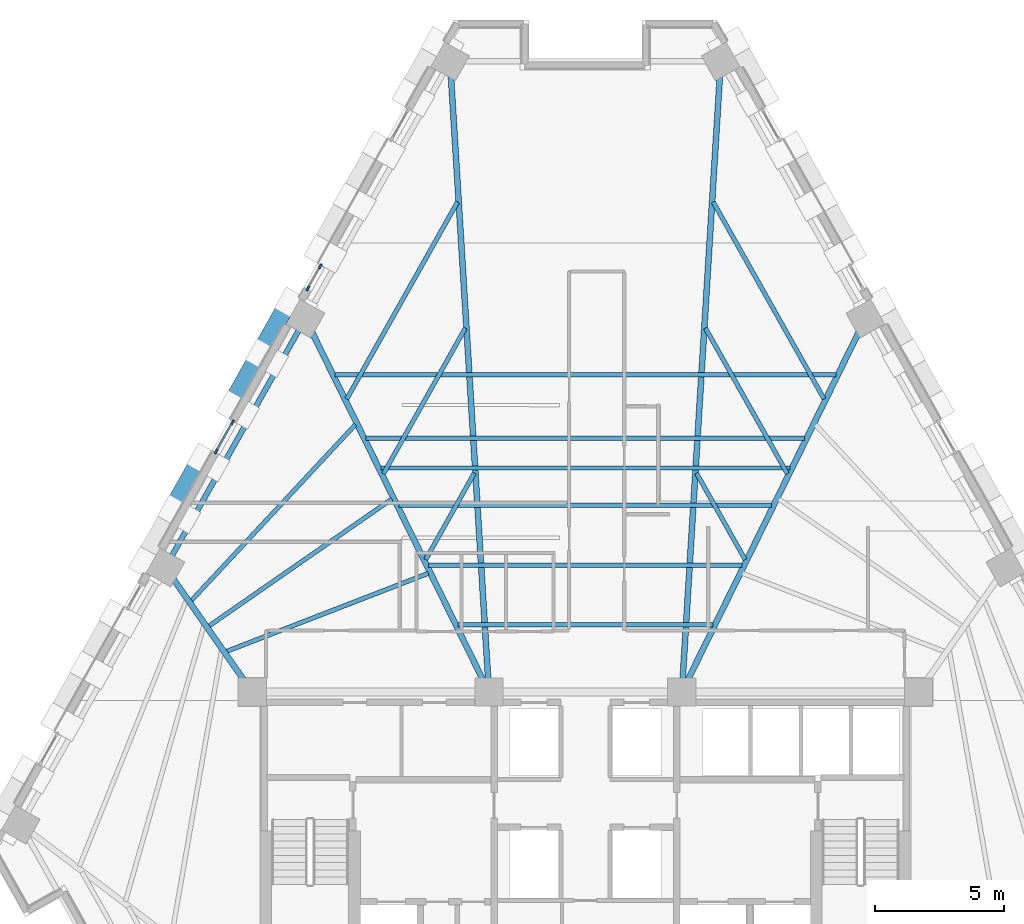
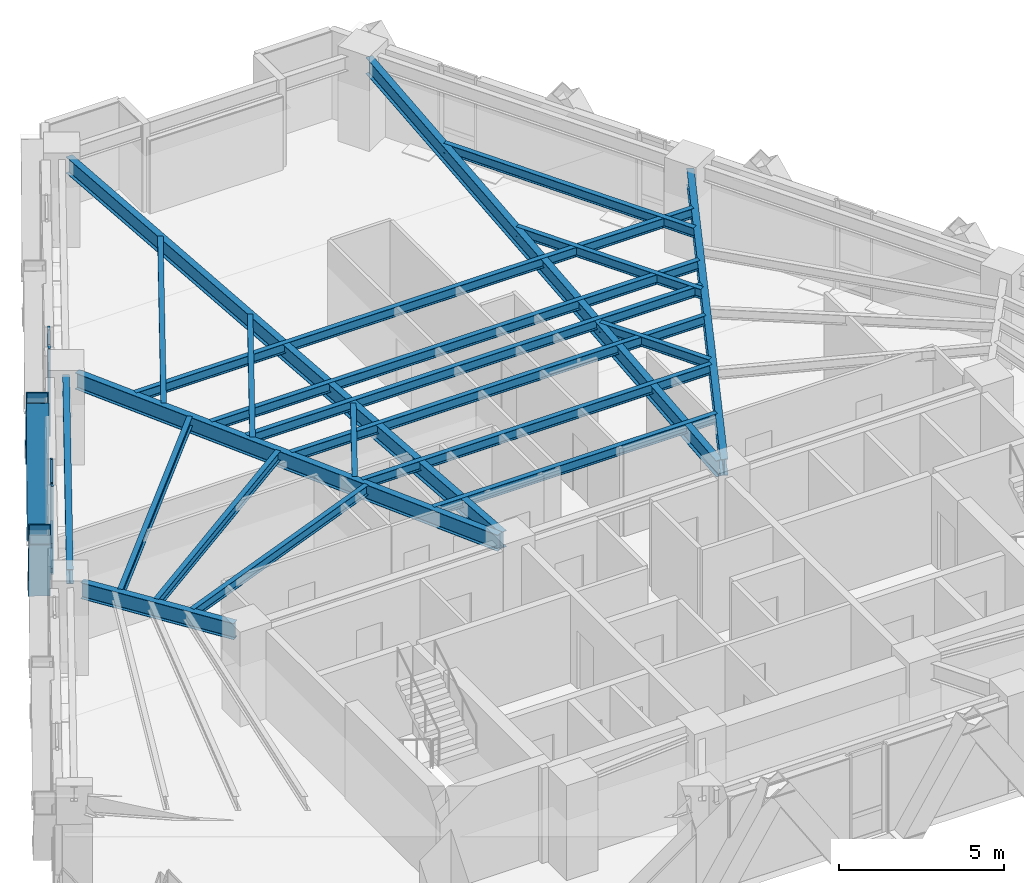
# One storey, part 3 of 13: 21 beams, 10 members, 2 elements without a shape of their own.
"""IFC4 building model written with IfcOpenShell, lengths in metres."""

from ifc_helpers import new_model, si_unit, direction, frame, origin, origin_2d, place, context, subcontext, project, spatial, rectangle, hollow_rectangle, i_section, extrude, material, material_profile, profile_set, type_object, element, aggregate, save


model = new_model("IFC4")

# Units and contexts
model_context = context("Model", 3, precision=1e-05, world=origin(), true_north=direction((0.0, 1.0)))
body_context = subcontext(model_context, "Body", "Model", "MODEL_VIEW")
ifc_project = project(units=[si_unit("LENGTHUNIT", "METRE"), si_unit("AREAUNIT", "SQUARE_METRE"), si_unit("VOLUMEUNIT", "CUBIC_METRE"), si_unit("PLANEANGLEUNIT", "RADIAN"), si_unit("MASSUNIT", "GRAM", prefix="KILO")], contexts=[model_context])

# Site, building, storey
site_placement = place(None, origin())
site = spatial("IfcSite", under=ifc_project, at=site_placement, CompositionType="ELEMENT")
building_placement = place(site_placement, origin())
building = spatial("IfcBuilding", under=site, at=building_placement, Name="Quenlor Broadcast Tower", CompositionType="ELEMENT")
storey_placement = place(building_placement, frame((0.0, 0.0, 105.5)))
storey = spatial("IfcBuildingStorey", under=building, at=storey_placement, Name="L28", CompositionType="ELEMENT", Elevation=105.5)

# Curtain wall, members
ifc_material_1 = material(Name="Architectural Terracotta and Low-E Glazing", Category="masonry")
curtain_wall_type = type_object("IfcCurtainWallType", Name="Unitised Terracotta Curtain Wall System Z2", PredefinedType="NOTDEFINED", material=ifc_material_1)
curtain_wall_1_placement = place(storey_placement, origin())
curtain_wall_1 = element("IfcCurtainWall", 1, at=curtain_wall_1_placement, inside=storey, type_object=curtain_wall_type, Name="L28 Curtain Wall CW2 (L28-NWC-G1)", PredefinedType="NOTDEFINED")
ifc_material_2 = material(Name="Aluminium 6063-T6", Category="aluminium")
ifc_material_profile_1 = material_profile(ifc_material_2, rectangle(XDim=0.074951171875, YDim=0.199951171875, at=origin_2d()))
ifc_profile_set_1 = profile_set([ifc_material_profile_1], Name="Aluminium 6063-T6 MULL75x200")
member_type_1 = type_object("IfcMemberType", Name="CW2 Aluminium Mullion MULL_CW2", PredefinedType="MULLION", material=ifc_profile_set_1)
member_1_placement = place(storey_placement, frame((-10.7880859375, 10.894775390625, 0.0), z_axis=(0.0, 0.0, 1.0), x_axis=(-0.871580587336, 0.490252261371, 0.0)))
member_1 = element("IfcMember", 2, at=member_1_placement, type_object=member_type_1, Name="CW2 mullion 1", PredefinedType="MULLION", context=body_context, shape_type="SweptSolid", body=[
    extrude(rectangle(XDim=0.074951171875, YDim=0.199951171875, at=origin_2d()), origin(), (0.0, 0.0, 1.0), 3.25),
])
member_2_placement = place(storey_placement, frame((-10.306396484375, 11.751220703125, 0.0), z_axis=(0.0, 0.0, 1.0), x_axis=(-0.871580587336, 0.490252261371, 0.0)))
member_2 = element("IfcMember", 3, at=member_2_placement, type_object=member_type_1, Name="CW2 mullion 2", PredefinedType="MULLION", context=body_context, shape_type="SweptSolid", body=[
    extrude(rectangle(XDim=0.074951171875, YDim=0.199951171875, at=origin_2d()), origin(), (0.0, 0.0, 1.0), 3.25),
])
aggregate(curtain_wall_1, [member_1, member_2])

curtain_wall_2_placement = place(storey_placement, origin())
curtain_wall_2 = element("IfcCurtainWall", 4, at=curtain_wall_2_placement, inside=storey, type_object=curtain_wall_type, Name="L28 Curtain Wall CW2 (L28-NW-G1)", PredefinedType="NOTDEFINED")
member_3_placement = place(storey_placement, frame((-14.3515625, 4.559814453125, 0.0), z_axis=(0.0, 0.0, 1.0), x_axis=(-0.871579452423, 0.490254279037, 0.0)))
member_3 = element("IfcMember", 5, at=member_3_placement, type_object=member_type_1, Name="CW2 mullion 1", PredefinedType="MULLION", context=body_context, shape_type="SweptSolid", body=[
    extrude(rectangle(XDim=0.074951171875, YDim=0.199951171875, at=origin_2d()), origin(), (0.0, 0.0, 1.0), 3.25),
])
member_4_placement = place(storey_placement, frame((-13.719482421875, 5.683349609375, 0.0), z_axis=(0.0, 0.0, 1.0), x_axis=(-0.871579452423, 0.490254279037, 0.0)))
member_4 = element("IfcMember", 6, at=member_4_placement, type_object=member_type_1, Name="CW2 mullion 2", PredefinedType="MULLION", context=body_context, shape_type="SweptSolid", body=[
    extrude(rectangle(XDim=0.074951171875, YDim=0.199951171875, at=origin_2d()), origin(), (0.0, 0.0, 1.0), 3.25),
])
ifc_material_3 = material(Name="Aluminium 6063-T6", Category="aluminium")
ifc_material_profile_2 = material_profile(ifc_material_3, rectangle(XDim=0.074951171875, YDim=0.1650390625, at=origin_2d()))
ifc_profile_set_2 = profile_set([ifc_material_profile_2], Name="Aluminium 6063-T6 TRAN75x165")
member_type_2 = type_object("IfcMemberType", Name="CW2 Aluminium Transom TRAN_CW2", PredefinedType="USERDEFINED", material=ifc_profile_set_2)
member_5_placement = place(storey_placement, frame((-14.333251953125, 4.592529296875, 0.03759765625), z_axis=(0.490433072585, 0.871478858788, 0.0), x_axis=(-0.871478858788, 0.490433072585, 0.0)))
member_5 = element("IfcMember", 7, at=member_5_placement, type_object=member_type_2, Name="CW2 transom 1.1", ObjectType="TRANSOM", PredefinedType="USERDEFINED", context=body_context, shape_type="SweptSolid", body=[
    extrude(rectangle(XDim=0.074951171875, YDim=0.1650390625, at=origin_2d()), origin(), (0.0, 0.0, 1.0), 1.214111328125),
])
member_6_placement = place(storey_placement, frame((-14.333251953125, 4.592529296875, 0.949951171875), z_axis=(0.490433072585, 0.871478858788, 0.0), x_axis=(-0.871478858788, 0.490433072585, 0.0)))
member_6 = element("IfcMember", 8, at=member_6_placement, type_object=member_type_2, Name="CW2 transom 1.2", ObjectType="TRANSOM", PredefinedType="USERDEFINED", context=body_context, shape_type="SweptSolid", body=[
    extrude(rectangle(XDim=0.074951171875, YDim=0.1650390625, at=origin_2d()), origin(), (0.0, 0.0, 1.0), 1.214111328125),
])
member_7_placement = place(storey_placement, frame((-14.333251953125, 4.592529296875, 3.21240234375), z_axis=(0.490433072585, 0.871478858788, 0.0), x_axis=(-0.871478858788, 0.490433072585, 0.0)))
member_7 = element("IfcMember", 9, at=member_7_placement, type_object=member_type_2, Name="CW2 transom 1.3", ObjectType="TRANSOM", PredefinedType="USERDEFINED", context=body_context, shape_type="SweptSolid", body=[
    extrude(rectangle(XDim=0.074951171875, YDim=0.1650390625, at=origin_2d()), origin(), (0.0, 0.0, 1.0), 1.214111328125),
])
aggregate(curtain_wall_2, [member_3, member_4, member_5, member_6, member_7])

# Members
ifc_material_4 = material(Name="Steel S355", Category="steel")
ifc_material_profile_3 = material_profile(ifc_material_4, hollow_rectangle(XDim=0.679931640625, YDim=0.679931640625, WallThickness=0.030029296875, at=origin_2d()))
ifc_profile_set_3 = profile_set([ifc_material_profile_3], Name="Steel S355 RHS680x680x30")
member_type_3 = type_object("IfcMemberType", Name="Perimeter Diagonal Lattice Brace Z2 Steel S355 RHS680x30", PredefinedType="BRACE", material=ifc_profile_set_3)
for number, where, z_axis, x_axis, name in (
    (10, (-13.80419921875, 6.338623046875, -0.1201171875), (0.268642373731, 0.477592925498, 0.83650240439), (-0.871578380919, 0.490256183964, 0.0), "L28 Perimeter Diamond Lattice NW-C3S"),
    (11, (-14.955322265625, 4.291748046875, -0.1201171875), (-0.268696511206, -0.477585438485, 0.836489290913), (0.871532878923, -0.490337068716, 0.0), "L28 Perimeter Diamond Lattice NW-C3B"),
):
    element("IfcMember", number, at=place(storey_placement, frame(where, z_axis=z_axis, x_axis=x_axis)), inside=storey, type_object=member_type_3, Name=name, PredefinedType="BRACE", context=body_context, shape_type="SweptSolid", body=[
        extrude(hollow_rectangle(XDim=0.679931640625, YDim=0.679931640625, WallThickness=0.030029296875, at=origin_2d()), origin(), (0.0, 0.0, 1.0), 4.18408203125),
    ])
member_8_placement = place(storey_placement, frame((-11.54248046875, 10.359619140625, -0.1201171875), z_axis=(-0.268634887212, -0.477637964099, 0.83647909276), x_axis=(0.871603971106, -0.490210686901, 0.0)))
element("IfcMember", 12, at=member_8_placement, inside=storey, type_object=member_type_3, Name="L28 Perimeter Diamond Lattice NW-C4B", PredefinedType="BRACE", context=body_context, shape_type="SweptSolid", body=[
    extrude(hollow_rectangle(XDim=0.679931640625, YDim=0.679931640625, WallThickness=0.030029296875, at=origin_2d()), origin(), (0.0, 0.0, 1.0), 4.184326171875),
])

# Beams
ifc_material_5 = material(Name="Steel S355", Category="steel")
ifc_material_profile_4 = material_profile(ifc_material_5, i_section(OverallWidth=0.208984375, OverallDepth=0.5283203125, WebThickness=0.009521484375, FlangeThickness=0.01318359375, FilletRadius=0.013916015625, at=origin_2d()))
ifc_profile_set_4 = profile_set([ifc_material_profile_4], Name="Steel S355 530UB82.0")
beam_type_1 = type_object("IfcBeamType", Name="Perimeter Spandrel Beam Z2 Steel S355 530UB82.0", PredefinedType="SPANDREL", material=ifc_profile_set_4)
beam_1_placement = place(storey_placement, frame((-11.087890625, 9.3623046875, 2.98583984375), z_axis=(-0.49026462139, -0.871573634878, 0.0), x_axis=(0.871573634878, -0.49026462139, 0.0)))
element("IfcBeam", 13, at=beam_1_placement, inside=storey, type_object=beam_type_1, Name="L28 Spandrel Beam NW2-NW3", PredefinedType="SPANDREL", context=body_context, shape_type="SweptSolid", body=[
    extrude(i_section(OverallWidth=0.208984375, OverallDepth=0.5283203125, WebThickness=0.009521484375, FlangeThickness=0.01318359375, FilletRadius=0.013916015625, at=origin_2d()), origin(), (0.0, 0.0, 1.0), 10.28271484375),
])
ifc_material_6 = material(Name="Steel S355", Category="steel")
ifc_material_profile_5 = material_profile(ifc_material_6, i_section(OverallWidth=0.172119140625, OverallDepth=0.358642578125, WebThickness=0.008056640625, FlangeThickness=0.012939453125, FilletRadius=0.011474609375, at=origin_2d()))
ifc_profile_set_5 = profile_set([ifc_material_profile_5], Name="Steel S355 360UB56.7")
beam_type_2 = type_object("IfcBeamType", Name="Tower Composite Joist Z2-Z3 Steel S355 360UB56.7", PredefinedType="JOIST", material=ifc_profile_set_5)
beam_2_placement = place(storey_placement, frame((-4.95458984375, -2.1865234375, 3.07080078125), z_axis=(1.0, 0.0, 0.0), x_axis=(0.0, 1.0, 0.0)))
element("IfcBeam", 14, at=beam_2_placement, inside=storey, type_object=beam_type_2, Name="L28 Secondary Composite Joist 1", PredefinedType="JOIST", context=body_context, shape_type="SweptSolid", body=[
    extrude(i_section(OverallWidth=0.172119140625, OverallDepth=0.358642578125, WebThickness=0.008056640625, FlangeThickness=0.012939453125, FilletRadius=0.011474609375, at=origin_2d()), origin(), (0.0, 0.0, 1.0), 9.9091796875),
])
beam_3_placement = place(storey_placement, frame((-7.9521484375, 3.911865234375, 3.07080078125), z_axis=(1.0, 0.0, 0.0), x_axis=(0.0, 1.0, 0.0)))
element("IfcBeam", 15, at=beam_3_placement, inside=storey, type_object=beam_type_2, Name="L28 Secondary Composite Joist 2", PredefinedType="JOIST", context=body_context, shape_type="SweptSolid", body=[
    extrude(i_section(OverallWidth=0.172119140625, OverallDepth=0.358642578125, WebThickness=0.008056640625, FlangeThickness=0.012939453125, FilletRadius=0.011474609375, at=origin_2d()), origin(), (0.0, 0.0, 1.0), 15.904296875),
])
beam_4_placement = place(storey_placement, frame((-6.096435546875, 0.13671875, 3.07080078125), z_axis=(1.0, 0.0, 0.0), x_axis=(0.0, 1.0, 0.0)))
element("IfcBeam", 16, at=beam_4_placement, inside=storey, type_object=beam_type_2, Name="L28 Secondary Composite Joist 3", PredefinedType="JOIST", context=body_context, shape_type="SweptSolid", body=[
    extrude(i_section(OverallWidth=0.172119140625, OverallDepth=0.358642578125, WebThickness=0.008056640625, FlangeThickness=0.012939453125, FilletRadius=0.011474609375, at=origin_2d()), origin(), (0.0, 0.0, 1.0), 12.19287109375),
])
beam_5_placement = place(storey_placement, frame((-7.238525390625, 2.4599609375, 3.07080078125), z_axis=(1.0, 0.0, 0.0), x_axis=(0.0, 1.0, 0.0)))
element("IfcBeam", 17, at=beam_5_placement, inside=storey, type_object=beam_type_2, Name="L28 Secondary Composite Joist 4", PredefinedType="JOIST", context=body_context, shape_type="SweptSolid", body=[
    extrude(i_section(OverallWidth=0.172119140625, OverallDepth=0.358642578125, WebThickness=0.008056640625, FlangeThickness=0.012939453125, FilletRadius=0.011474609375, at=origin_2d()), origin(), (0.0, 0.0, 1.0), 14.47705078125),
])
beam_6_placement = place(storey_placement, frame((-8.523193359375, 5.073486328125, 3.07080078125), z_axis=(1.0, 0.0, 0.0), x_axis=(0.0, 1.0, 0.0)))
element("IfcBeam", 18, at=beam_6_placement, inside=storey, type_object=beam_type_2, Name="L28 Secondary Composite Joist 5", PredefinedType="JOIST", context=body_context, shape_type="SweptSolid", body=[
    extrude(i_section(OverallWidth=0.172119140625, OverallDepth=0.358642578125, WebThickness=0.008056640625, FlangeThickness=0.012939453125, FilletRadius=0.011474609375, at=origin_2d()), origin(), (0.0, 0.0, 1.0), 17.04638671875),
])
beam_7_placement = place(storey_placement, frame((-9.736328125, 7.541748046875, 3.07080078125), z_axis=(1.0, 0.0, 0.0), x_axis=(0.0, 1.0, 0.0)))
element("IfcBeam", 19, at=beam_7_placement, inside=storey, type_object=beam_type_2, Name="L28 Secondary Composite Joist 6", PredefinedType="JOIST", context=body_context, shape_type="SweptSolid", body=[
    extrude(i_section(OverallWidth=0.172119140625, OverallDepth=0.358642578125, WebThickness=0.008056640625, FlangeThickness=0.012939453125, FilletRadius=0.011474609375, at=origin_2d()), origin(), (0.0, 0.0, 1.0), 19.47265625),
])
beam_8_placement = place(storey_placement, frame((-13.95703125, -3.221435546875, 3.07080078125), z_axis=(0.932542579586, 0.361060018916, 0.0), x_axis=(-0.361060018916, 0.932542579586, 0.0)))
element("IfcBeam", 20, at=beam_8_placement, inside=storey, type_object=beam_type_2, Name="L28 Secondary Composite Joist 7", PredefinedType="JOIST", context=body_context, shape_type="SweptSolid", body=[
    extrude(i_section(OverallWidth=0.172119140625, OverallDepth=0.358642578125, WebThickness=0.008056640625, FlangeThickness=0.012939453125, FilletRadius=0.011474609375, at=origin_2d()), origin(), (0.0, 0.0, 1.0), 8.416259765625),
])
beam_9_placement = place(storey_placement, frame((-14.641845703125, -2.236083984375, 3.07080078125), z_axis=(0.821385737622, 0.570373097219, 0.0), x_axis=(-0.570373097219, 0.821385737622, 0.0)))
element("IfcBeam", 21, at=beam_9_placement, inside=storey, type_object=beam_type_2, Name="L28 Secondary Composite Joist 8", PredefinedType="JOIST", context=body_context, shape_type="SweptSolid", body=[
    extrude(i_section(OverallWidth=0.172119140625, OverallDepth=0.358642578125, WebThickness=0.008056640625, FlangeThickness=0.012939453125, FilletRadius=0.011474609375, at=origin_2d()), origin(), (0.0, 0.0, 1.0), 8.662109375),
])
beam_10_placement = place(storey_placement, frame((-15.3291015625, -1.254638671875, 3.07080078125), z_axis=(0.681880655944, 0.73146344478, 0.0), x_axis=(-0.73146344478, 0.681880655944, 0.0)))
element("IfcBeam", 22, at=beam_10_placement, inside=storey, type_object=beam_type_2, Name="L28 Secondary Composite Joist 9", PredefinedType="JOIST", context=body_context, shape_type="SweptSolid", body=[
    extrude(i_section(OverallWidth=0.172119140625, OverallDepth=0.358642578125, WebThickness=0.008056640625, FlangeThickness=0.012939453125, FilletRadius=0.011474609375, at=origin_2d()), origin(), (0.0, 0.0, 1.0), 9.365234375),
])
beam_11_placement = place(storey_placement, frame((-4.318603515625, 3.7119140625, 3.07080078125), z_axis=(-0.49024921379, -0.871582301552, 0.0), x_axis=(0.871582301552, -0.49024921379, 0.0)))
element("IfcBeam", 23, at=beam_11_placement, inside=storey, type_object=beam_type_2, Name="L28 Secondary Composite Joist 25", PredefinedType="JOIST", context=body_context, shape_type="SweptSolid", body=[
    extrude(i_section(OverallWidth=0.172119140625, OverallDepth=0.358642578125, WebThickness=0.008056640625, FlangeThickness=0.012939453125, FilletRadius=0.011474609375, at=origin_2d()), origin(), (0.0, 0.0, 1.0), 3.85546875),
])
beam_12_placement = place(storey_placement, frame((-4.66650390625, 9.351318359375, 3.07080078125), z_axis=(-0.490232680913, -0.871591600789, 0.0), x_axis=(0.871591600789, -0.490232680913, 0.0)))
element("IfcBeam", 24, at=beam_12_placement, inside=storey, type_object=beam_type_2, Name="L28 Secondary Composite Joist 26", PredefinedType="JOIST", context=body_context, shape_type="SweptSolid", body=[
    extrude(i_section(OverallWidth=0.172119140625, OverallDepth=0.358642578125, WebThickness=0.008056640625, FlangeThickness=0.012939453125, FilletRadius=0.011474609375, at=origin_2d()), origin(), (0.0, 0.0, 1.0), 6.494140625),
])
beam_13_placement = place(storey_placement, frame((-4.96875, 14.255126953125, 3.07080078125), z_axis=(-0.490273109583, -0.871568860171, 0.0), x_axis=(0.871568860171, -0.490273109583, 0.0)))
element("IfcBeam", 25, at=beam_13_placement, inside=storey, type_object=beam_type_2, Name="L28 Secondary Composite Joist 27", PredefinedType="JOIST", context=body_context, shape_type="SweptSolid", body=[
    extrude(i_section(OverallWidth=0.172119140625, OverallDepth=0.358642578125, WebThickness=0.008056640625, FlangeThickness=0.012939453125, FilletRadius=0.011474609375, at=origin_2d()), origin(), (0.0, 0.0, 1.0), 8.78857421875),
])
beam_14_placement = place(storey_placement, frame((4.318603515625, 3.7119140625, 3.07080078125), z_axis=(0.49024921379, -0.871582301552, 0.0), x_axis=(0.871582301552, 0.49024921379, 0.0)))
element("IfcBeam", 26, at=beam_14_placement, inside=storey, type_object=beam_type_2, Name="L28 Secondary Composite Joist 28", PredefinedType="JOIST", context=body_context, shape_type="SweptSolid", body=[
    extrude(i_section(OverallWidth=0.172119140625, OverallDepth=0.358642578125, WebThickness=0.008056640625, FlangeThickness=0.012939453125, FilletRadius=0.011474609375, at=origin_2d()), origin(), (0.0, 0.0, 1.0), 3.85546875),
])
beam_15_placement = place(storey_placement, frame((4.66650390625, 9.351318359375, 3.07080078125), z_axis=(0.490232680913, -0.871591600789, 0.0), x_axis=(0.871591600789, 0.490232680913, 0.0)))
element("IfcBeam", 27, at=beam_15_placement, inside=storey, type_object=beam_type_2, Name="L28 Secondary Composite Joist 29", PredefinedType="JOIST", context=body_context, shape_type="SweptSolid", body=[
    extrude(i_section(OverallWidth=0.172119140625, OverallDepth=0.358642578125, WebThickness=0.008056640625, FlangeThickness=0.012939453125, FilletRadius=0.011474609375, at=origin_2d()), origin(), (0.0, 0.0, 1.0), 6.494140625),
])
beam_16_placement = place(storey_placement, frame((4.96875, 14.255126953125, 3.07080078125), z_axis=(0.490273109583, -0.871568860171, 0.0), x_axis=(0.871568860171, 0.490273109583, 0.0)))
element("IfcBeam", 28, at=beam_16_placement, inside=storey, type_object=beam_type_2, Name="L28 Secondary Composite Joist 30", PredefinedType="JOIST", context=body_context, shape_type="SweptSolid", body=[
    extrude(i_section(OverallWidth=0.172119140625, OverallDepth=0.358642578125, WebThickness=0.008056640625, FlangeThickness=0.012939453125, FilletRadius=0.011474609375, at=origin_2d()), origin(), (0.0, 0.0, 1.0), 8.78857421875),
])
ifc_material_7 = material(Name="Steel S355", Category="steel")
ifc_material_profile_6 = material_profile(ifc_material_7, i_section(OverallWidth=0.22802734375, OverallDepth=0.60205078125, WebThickness=0.010498046875, FlangeThickness=0.014892578125, FilletRadius=0.013916015625, at=origin_2d()))
ifc_profile_set_6 = profile_set([ifc_material_profile_6], Name="Steel S355 610UB101")
beam_type_3 = type_object("IfcBeamType", Name="Tower Primary Floor Beam Z2 Steel S355 610UB101", PredefinedType="BEAM", material=ifc_profile_set_6)
beam_17_placement = place(storey_placement, frame((10.7060546875, 9.351806640625, 2.948974609375), z_axis=(-0.441130328176, -0.897443053103, 0.0), x_axis=(0.897443053103, -0.441130328176, 0.0)))
element("IfcBeam", 29, at=beam_17_placement, inside=storey, type_object=beam_type_3, Name="L28 Primary Radial Beam NE3", PredefinedType="BEAM", context=body_context, shape_type="SweptSolid", body=[
    extrude(i_section(OverallWidth=0.22802734375, OverallDepth=0.60205078125, WebThickness=0.010498046875, FlangeThickness=0.014892578125, FilletRadius=0.013916015625, at=origin_2d()), origin(), (0.0, 0.0, 1.0), 15.38916015625),
])
for number, where, z_axis, x_axis, name in (
    (30, (5.237060546875, 19.309814453125, 2.948974609375), (-0.061559977358, -0.998103386022, 0.0), (0.998103386022, -0.061559977358, 0.0), "L28 Primary Radial Beam NE4"),
    (31, (-5.237060546875, 19.309814453125, 2.948974609375), (0.061559977358, -0.998103386022, 0.0), (0.998103386022, 0.061559977358, 0.0), "L28 Primary Radial Beam NW1"),
):
    element("IfcBeam", number, at=place(storey_placement, frame(where, z_axis=z_axis, x_axis=x_axis)), inside=storey, type_object=beam_type_3, Name=name, PredefinedType="BEAM", context=body_context, shape_type="SweptSolid", body=[
        extrude(i_section(OverallWidth=0.22802734375, OverallDepth=0.60205078125, WebThickness=0.010498046875, FlangeThickness=0.014892578125, FilletRadius=0.013916015625, at=origin_2d()), origin(), (0.0, 0.0, 1.0), 23.775634765625),
    ])
beam_18_placement = place(storey_placement, frame((-10.7060546875, 9.351806640625, 2.948974609375), z_axis=(0.441130328176, -0.897443053103, 0.0), x_axis=(0.897443053103, 0.441130328176, 0.0)))
element("IfcBeam", 32, at=beam_18_placement, inside=storey, type_object=beam_type_3, Name="L28 Primary Radial Beam NW2", PredefinedType="BEAM", context=body_context, shape_type="SweptSolid", body=[
    extrude(i_section(OverallWidth=0.22802734375, OverallDepth=0.60205078125, WebThickness=0.010498046875, FlangeThickness=0.014892578125, FilletRadius=0.013916015625, at=origin_2d()), origin(), (0.0, 0.0, 1.0), 15.38916015625),
])
beam_19_placement = place(storey_placement, frame((-16.095458984375, -0.293212890625, 2.948974609375), z_axis=(0.572337599985, -0.820018092266, 0.0), x_axis=(0.820018092266, 0.572337599985, 0.0)))
element("IfcBeam", 33, at=beam_19_placement, inside=storey, type_object=beam_type_3, Name="L28 Primary Radial Beam NW3", PredefinedType="BEAM", context=body_context, shape_type="SweptSolid", body=[
    extrude(i_section(OverallWidth=0.22802734375, OverallDepth=0.60205078125, WebThickness=0.010498046875, FlangeThickness=0.014892578125, FilletRadius=0.013916015625, at=origin_2d()), origin(), (0.0, 0.0, 1.0), 5.11572265625),
])

save(model, "model.ifc")
